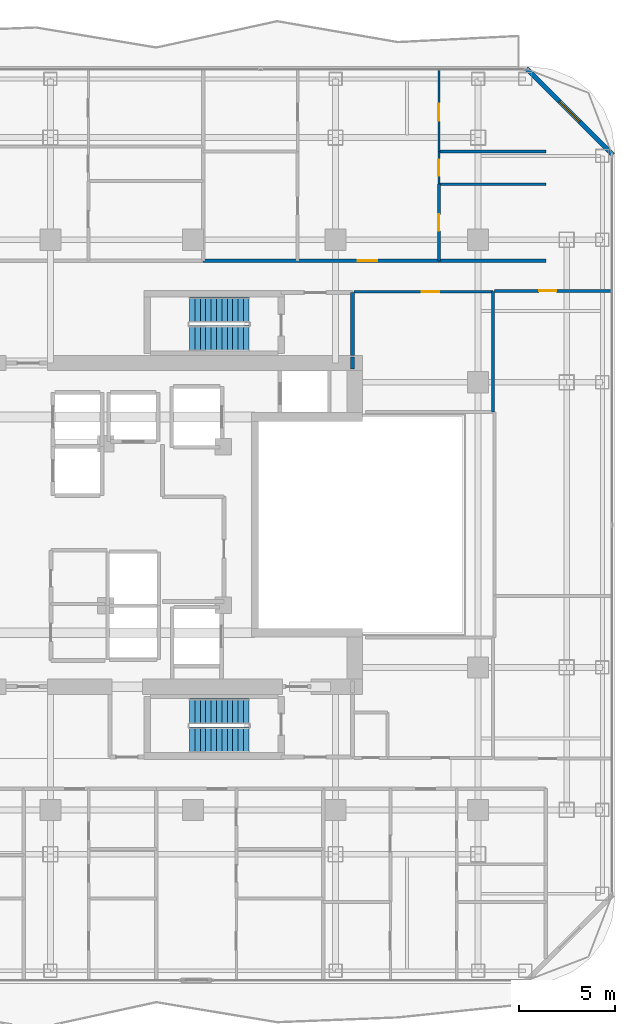
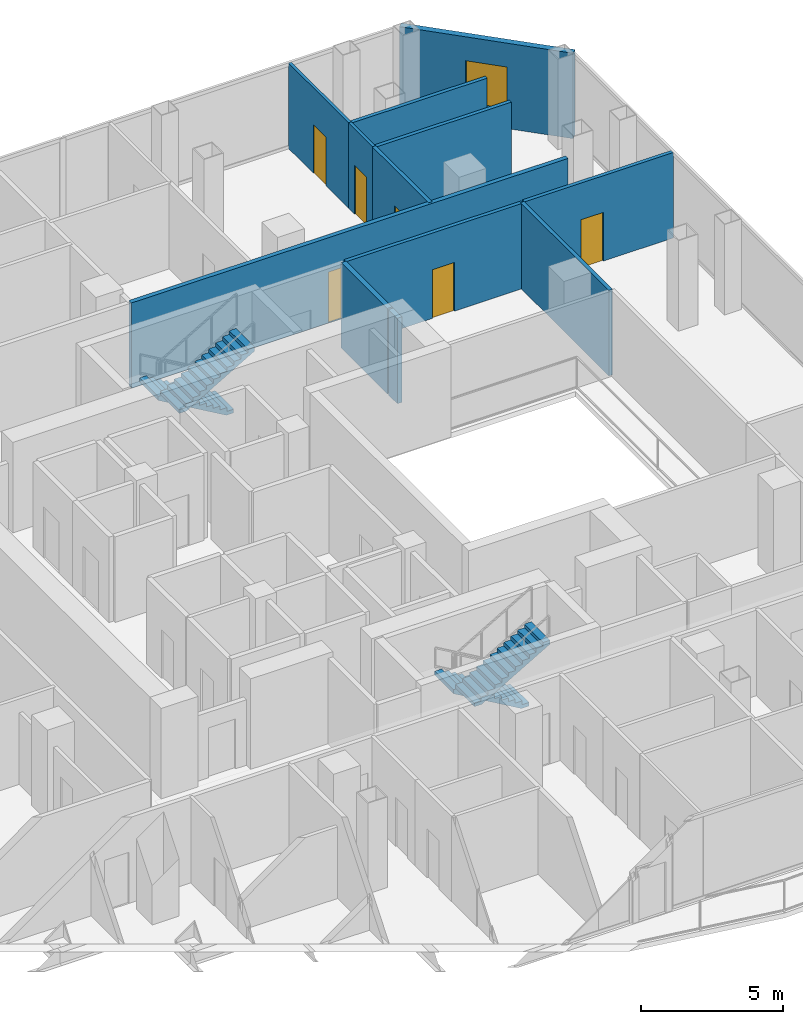
# One storey, part 22 of 25: 12 walls, 6 doors, 4 stair flights, 1 window, 7 openings, 2 elements without a shape of their own.
"""IFC4 building model written with IfcOpenShell, lengths in metres."""

from ifc_helpers import new_model, si_unit, direction, frame, frame_2d, origin, place, context, subcontext, project, spatial, polyline, rectangle, outline, extrude, material, layer, layer_set, type_object, element, fill, aggregate, save


model = new_model("IFC4")

# Units and contexts
model_context = context("Model", 3, precision=1e-05, world=origin(), true_north=direction((0.0, 1.0)))
body_context = subcontext(model_context, "Body", "Model", "MODEL_VIEW")
ifc_project = project(units=[si_unit("LENGTHUNIT", "METRE"), si_unit("AREAUNIT", "SQUARE_METRE"), si_unit("VOLUMEUNIT", "CUBIC_METRE"), si_unit("PLANEANGLEUNIT", "RADIAN"), si_unit("MASSUNIT", "GRAM", prefix="KILO")], contexts=[model_context])

# Site, building, storey
site_placement = place(None, origin())
site = spatial("IfcSite", under=ifc_project, at=site_placement, CompositionType="ELEMENT")
building_placement = place(site_placement, origin())
building = spatial("IfcBuilding", under=site, at=building_placement, Name="Khorvyn Point Tower", CompositionType="ELEMENT")
storey_placement = place(building_placement, frame((0.0, 0.0, 171.89990234375)))
storey = spatial("IfcBuildingStorey", under=building, at=storey_placement, Name="L42", CompositionType="ELEMENT", Elevation=171.89990234375)

# Wall, opening, door
ifc_material_1 = material(Name="Double acoustic gypsum on twin steel stud", Category="steel")
ifc_layer_1 = layer(ifc_material_1, 0.179931640625)
ifc_layer_set_1 = layer_set([ifc_layer_1], Name="Acoustic Double-Stud Apartment Demising Wall 180")
wall_type_1 = type_object("IfcWallType", Name="Acoustic Double-Stud Apartment Demising Wall 180", PredefinedType="PARTITIONING", material=ifc_layer_set_1)
wall_1_placement = place(storey_placement, frame((0.52587890625, 13.699951171875, 0.0), z_axis=(0.0, 0.0, 1.0), x_axis=(1.0, 0.0, 0.0)))
wall_1 = element("IfcWall", 1, at=wall_1_placement, inside=storey, type_object=wall_type_1, Name="Wall", PredefinedType="PARTITIONING", context=body_context, shape_type="SweptSolid", body=[
    extrude(rectangle(XDim=17.794189453125, YDim=0.179931640625, at=frame_2d((8.89697265625, 0.0))), origin(), (0.0, 0.0, 1.0), 3.68017578125),
])
opening_1_placement = place(wall_1_placement, frame((8.038818359375, 0.0, 0.0)))
opening_1 = element("IfcOpeningElement", 2, at=opening_1_placement, cuts=wall_1, Name="Opening ID-AP60", PredefinedType="OPENING", context=body_context, shape_type="SweptSolid", body=[
    extrude(rectangle(XDim=1.0, YDim=2.199951171875, at=frame_2d((0.5, 1.10009765625))), frame((0.0, 0.099853515625, 0.0), z_axis=(0.0, -1.0, 0.0), x_axis=(1.0, 0.0, 0.0)), (0.0, 0.0, 1.0), 0.199951171875),
])
ifc_material_2 = material(Name="Engineered hardwood fire-rated leaf", Category="wood")
door_type_1 = type_object("IfcDoorType", Name="Acoustic Solid-Core Timber Apartment Entrance Door 1000x2200", OperationType="NOTDEFINED", PredefinedType="DOOR", material=ifc_material_2)
door_1_placement = place(opening_1_placement, origin())
door_1 = element("IfcDoor", 3, at=door_1_placement, inside=storey, type_object=door_type_1, Name="Door", OperationType="SINGLE_SWING_LEFT", OverallHeight=2.199951171875, OverallWidth=1.0, PredefinedType="DOOR", context=body_context, shape_type="SweptSolid", body=[
    extrude(rectangle(XDim=1.0, YDim=2.199951171875, at=frame_2d((0.5, 1.10009765625))), frame((0.0, 0.02490234375, 0.0), z_axis=(0.0, -1.0, 0.0), x_axis=(1.0, 0.0, 0.0)), (0.0, 0.0, 1.0), 0.050048828125),
])
fill(opening_1, door_1)

# Wall, opening, window
ifc_material_3 = material(Name="Pale anodised aluminium rainscreen on steel stud", Category="steel")
ifc_layer_2 = layer(ifc_material_3, 0.239990234375)
ifc_layer_set_2 = layer_set([ifc_layer_2], Name="Anodised Aluminium Insulated Corner Spandrel Wall 240")
wall_type_2 = type_object("IfcWallType", Name="Anodised Aluminium Insulated Corner Spandrel Wall 240", PredefinedType="SOLIDWALL", material=ifc_layer_set_2)
wall_2_placement = place(storey_placement, frame((17.3076171875, 23.6923828125, 0.0), z_axis=(0.0, 0.0, 1.0), x_axis=(0.707106781187, -0.707106781187, 0.0)))
wall_2 = element("IfcWall", 4, at=wall_2_placement, inside=storey, type_object=wall_type_2, Name="L42 Rounded Corner Wall NE", PredefinedType="SOLIDWALL", context=body_context, shape_type="SweptSolid", body=[
    extrude(rectangle(XDim=6.342529296875, YDim=0.239990234375, at=frame_2d((3.17138671875, 0.0))), origin(), (0.0, 0.0, 1.0), 3.68017578125),
])
opening_2_placement = place(wall_2_placement, frame((2.42138671875, 0.0, 0.800048828125)))
opening_2 = element("IfcOpeningElement", 5, at=opening_2_placement, cuts=wall_2, Name="Opening WN-1518", PredefinedType="OPENING", context=body_context, shape_type="SweptSolid", body=[
    extrude(rectangle(XDim=1.5, YDim=1.85009765625, at=frame_2d((0.75, 0.925048828125))), frame((0.0, 0.1298828125, 0.0), z_axis=(0.0, -1.0, 0.0), x_axis=(1.0, 0.0, 0.0)), (0.0, 0.0, 1.0), 0.260009765625),
])
ifc_material_4 = material(Name="Anodised aluminium 6063-T6 and laminated Low-E glass", Category="aluminium")
window_type = type_object("IfcWindowType", Name="Anodised Aluminium Rounded-Corner Panoramic Window 1500x1850", PartitioningType="SINGLE_PANEL", PredefinedType="WINDOW", material=ifc_material_4)
window_placement = place(opening_2_placement, origin())
window = element("IfcWindow", 6, at=window_placement, inside=storey, type_object=window_type, Name="L42 Corner Panoramic Window NE", OverallHeight=1.85009765625, OverallWidth=1.5, PartitioningType="SINGLE_PANEL", PredefinedType="WINDOW", context=body_context, shape_type="SweptSolid", body=[
    extrude(rectangle(XDim=1.5, YDim=1.85009765625, at=frame_2d((0.75, 0.925048828125))), frame((0.0, 0.030029296875, 0.0), z_axis=(0.0, -1.0, 0.0), x_axis=(1.0, 0.0, 0.0)), (0.0, 0.0, 1.0), 0.06005859375),
])
fill(opening_2, window)

# Walls
ifc_material_5 = material(Name="Concrete C40/50", Category="concrete")
ifc_layer_3 = layer(ifc_material_5, 0.199951171875)
ifc_layer_set_3 = layer_set([ifc_layer_3], Name="Concrete C40/50 Fire-Lobby Compartment Wall 200")
wall_type_3 = type_object("IfcWallType", Name="Concrete C40/50 Fire-Lobby Compartment Wall 200", PredefinedType="SOLIDWALL", material=ifc_layer_set_3)
wall_3_placement = place(storey_placement, frame((8.280029296875, 8.800048828125, 0.0), z_axis=(0.0, 0.0, 1.0), x_axis=(0.0, 1.0, 0.0)))
element("IfcWall", 7, at=wall_3_placement, inside=storey, type_object=wall_type_3, Name="Wall", PredefinedType="SOLIDWALL", context=body_context, shape_type="SweptSolid", body=[
    extrude(rectangle(XDim=3.260009765625, YDim=0.199951171875, at=frame_2d((1.6298828125, 0.0))), origin(), (0.0, 0.0, 1.0), 3.68017578125),
])
wall_4_placement = place(storey_placement, frame((8.280029296875, 8.10009765625, 0.0), z_axis=(0.0, 0.0, 1.0), x_axis=(0.0, 1.0, 0.0)))
element("IfcWall", 8, at=wall_4_placement, inside=storey, type_object=wall_type_3, Name="Wall", PredefinedType="SOLIDWALL", context=body_context, shape_type="SweptSolid", body=[
    extrude(rectangle(XDim=0.625, YDim=0.199951171875, at=frame_2d((0.3125, 0.0))), origin(), (0.0, 0.0, 1.0), 3.68017578125),
])

# Wall, opening, door
ifc_material_6 = material(Name="Gypsum plasterboard on steel stud", Category="steel")
ifc_layer_4 = layer(ifc_material_6, 0.1201171875)
ifc_layer_set_4 = layer_set([ifc_layer_4], Name="Gypsum Acoustic Stud Room Partition Wall 120")
wall_type_4 = type_object("IfcWallType", Name="Gypsum Acoustic Stud Room Partition Wall 120", PredefinedType="PARTITIONING", material=ifc_layer_set_4)
wall_5_placement = place(storey_placement, frame((12.76806640625, 17.68310546875, 0.0), z_axis=(0.0, 0.0, 1.0), x_axis=(0.0, 1.0, 0.0)))
wall_5 = element("IfcWall", 9, at=wall_5_placement, inside=storey, type_object=wall_type_4, Name="Wall", PredefinedType="PARTITIONING", context=body_context, shape_type="SweptSolid", body=[
    extrude(rectangle(XDim=1.706787109375, YDim=0.1201171875, at=frame_2d((0.853515625, 0.0))), origin(), (0.0, 0.0, 1.0), 3.68017578125),
])
opening_3_placement = place(wall_5_placement, frame((0.428466796875, 0.0, 0.0)))
opening_3 = element("IfcOpeningElement", 10, at=opening_3_placement, cuts=wall_5, Name="Opening ID-WC85", PredefinedType="OPENING", context=body_context, shape_type="SweptSolid", body=[
    extrude(rectangle(XDim=0.85009765625, YDim=2.10009765625, at=frame_2d((0.425048828125, 1.050048828125))), frame((0.0, 0.070068359375, 0.0), z_axis=(0.0, -1.0, 0.0), x_axis=(1.0, 0.0, 0.0)), (0.0, 0.0, 1.0), 0.14013671875),
])
ifc_material_7 = material(Name="High-pressure laminate on moisture-resistant core", Category="wood")
door_type_2 = type_object("IfcDoorType", Name="Moisture-Resistant Accessible Washroom Door 850x2100", OperationType="NOTDEFINED", PredefinedType="DOOR", material=ifc_material_7)
door_2_placement = place(opening_3_placement, origin())
door_2 = element("IfcDoor", 11, at=door_2_placement, inside=storey, type_object=door_type_2, Name="Door", OperationType="SINGLE_SWING_LEFT", OverallHeight=2.10009765625, OverallWidth=0.85009765625, PredefinedType="DOOR", context=body_context, shape_type="SweptSolid", body=[
    extrude(rectangle(XDim=0.85009765625, YDim=2.10009765625, at=frame_2d((0.425048828125, 1.050048828125))), frame((0.0, 0.02490234375, 0.0), z_axis=(0.0, -1.0, 0.0), x_axis=(1.0, 0.0, 0.0)), (0.0, 0.0, 1.0), 0.050048828125),
])
fill(opening_3, door_2)

wall_6_placement = place(storey_placement, frame((12.76806640625, 19.389892578125, 0.0), z_axis=(0.0, 0.0, 1.0), x_axis=(0.0, 1.0, 0.0)))
wall_6 = element("IfcWall", 12, at=wall_6_placement, inside=storey, type_object=wall_type_4, Name="Wall", PredefinedType="PARTITIONING", context=body_context, shape_type="SweptSolid", body=[
    extrude(rectangle(XDim=4.239990234375, YDim=0.1201171875, at=frame_2d((2.1201171875, 0.0))), origin(), (0.0, 0.0, 1.0), 3.68017578125),
])
opening_4_placement = place(wall_6_placement, frame((1.581298828125, 0.0, 0.0)))
opening_4 = element("IfcOpeningElement", 13, at=opening_4_placement, cuts=wall_6, Name="Opening ID-RM90", PredefinedType="OPENING", context=body_context, shape_type="SweptSolid", body=[
    extrude(rectangle(XDim=0.89990234375, YDim=2.10009765625, at=frame_2d((0.449951171875, 1.050048828125))), frame((0.0, 0.070068359375, 0.0), z_axis=(0.0, -1.0, 0.0), x_axis=(1.0, 0.0, 0.0)), (0.0, 0.0, 1.0), 0.14013671875),
])
ifc_material_8 = material(Name="Engineered oak veneer timber", Category="wood")
door_type_3 = type_object("IfcDoorType", Name="Flush Engineered Timber Room Door 900x2100", OperationType="NOTDEFINED", PredefinedType="DOOR", material=ifc_material_8)
door_3_placement = place(opening_4_placement, origin())
door_3 = element("IfcDoor", 14, at=door_3_placement, inside=storey, type_object=door_type_3, Name="Door", OperationType="SINGLE_SWING_RIGHT", OverallHeight=2.10009765625, OverallWidth=0.89990234375, PredefinedType="DOOR", context=body_context, shape_type="SweptSolid", body=[
    extrude(rectangle(XDim=0.89990234375, YDim=2.10009765625, at=frame_2d((0.449951171875, 1.050048828125))), frame((0.0, 0.02490234375, 0.0), z_axis=(0.0, -1.0, 0.0), x_axis=(1.0, 0.0, 0.0)), (0.0, 0.0, 1.0), 0.050048828125),
])
fill(opening_4, door_3)

ifc_material_9 = material(Name="Moisture-resistant gypsum and cement board", Category="gypsum")
ifc_layer_5 = layer(ifc_material_9, 0.14990234375)
ifc_layer_set_5 = layer_set([ifc_layer_5], Name="Moisture-Resistant Wet-Room Partition Wall 150")
wall_type_5 = type_object("IfcWallType", Name="Moisture-Resistant Wet-Room Partition Wall 150", PredefinedType="PARTITIONING", material=ifc_layer_set_5)
wall_7_placement = place(storey_placement, frame((8.360107421875, 12.10009765625, 0.0), z_axis=(0.0, 0.0, 1.0), x_axis=(1.0, 0.0, 0.0)))
wall_7 = element("IfcWall", 15, at=wall_7_placement, inside=storey, type_object=wall_type_5, Name="Wall", PredefinedType="PARTITIONING", context=body_context, shape_type="SweptSolid", body=[
    extrude(rectangle(XDim=7.219970703125, YDim=0.14990234375, at=frame_2d((3.60986328125, 0.0))), origin(), (0.0, 0.0, 1.0), 3.68017578125),
])
opening_5_placement = place(wall_7_placement, frame((3.512939453125, 0.0, 0.0)))
opening_5 = element("IfcOpeningElement", 16, at=opening_5_placement, cuts=wall_7, Name="Opening ID-RM90", PredefinedType="OPENING", context=body_context, shape_type="SweptSolid", body=[
    extrude(rectangle(XDim=0.89990234375, YDim=2.10009765625, at=frame_2d((0.449951171875, 1.050048828125))), frame((0.0, 0.0849609375, 0.0), z_axis=(0.0, -1.0, 0.0), x_axis=(1.0, 0.0, 0.0)), (0.0, 0.0, 1.0), 0.169921875),
])
door_4_placement = place(opening_5_placement, origin())
door_4 = element("IfcDoor", 17, at=door_4_placement, inside=storey, type_object=door_type_3, Name="Door", OperationType="SINGLE_SWING_LEFT", OverallHeight=2.10009765625, OverallWidth=0.89990234375, PredefinedType="DOOR", context=body_context, shape_type="SweptSolid", body=[
    extrude(rectangle(XDim=0.89990234375, YDim=2.10009765625, at=frame_2d((0.449951171875, 1.050048828125))), frame((0.0, 0.02490234375, 0.0), z_axis=(0.0, -1.0, 0.0), x_axis=(1.0, 0.0, 0.0)), (0.0, 0.0, 1.0), 0.050048828125),
])
fill(opening_5, door_4)

wall_8_placement = place(storey_placement, frame((12.76806640625, 13.699951171875, 0.0), z_axis=(0.0, 0.0, 1.0), x_axis=(0.0, 1.0, 0.0)))
wall_8 = element("IfcWall", 18, at=wall_8_placement, inside=storey, type_object=wall_type_5, Name="Wall", PredefinedType="PARTITIONING", context=body_context, shape_type="SweptSolid", body=[
    extrude(rectangle(XDim=3.983154296875, YDim=0.14990234375, at=frame_2d((1.99169921875, 0.0))), origin(), (0.0, 0.0, 1.0), 3.68017578125),
])
opening_6_placement = place(wall_8_placement, frame((1.56640625, 0.0, 0.0)))
opening_6 = element("IfcOpeningElement", 19, at=opening_6_placement, cuts=wall_8, Name="Opening ID-WC85", PredefinedType="OPENING", context=body_context, shape_type="SweptSolid", body=[
    extrude(rectangle(XDim=0.85009765625, YDim=2.10009765625, at=frame_2d((0.425048828125, 1.050048828125))), frame((0.0, 0.0849609375, 0.0), z_axis=(0.0, -1.0, 0.0), x_axis=(1.0, 0.0, 0.0)), (0.0, 0.0, 1.0), 0.169921875),
])
door_5_placement = place(opening_6_placement, origin())
door_5 = element("IfcDoor", 20, at=door_5_placement, inside=storey, type_object=door_type_2, Name="Door", OperationType="SINGLE_SWING_RIGHT", OverallHeight=2.10009765625, OverallWidth=0.85009765625, PredefinedType="DOOR", context=body_context, shape_type="SweptSolid", body=[
    extrude(rectangle(XDim=0.85009765625, YDim=2.10009765625, at=frame_2d((0.425048828125, 1.050048828125))), frame((0.0, 0.02490234375, 0.0), z_axis=(0.0, -1.0, 0.0), x_axis=(1.0, 0.0, 0.0)), (0.0, 0.0, 1.0), 0.050048828125),
])
fill(opening_6, door_5)

wall_9_placement = place(storey_placement, frame((15.64990234375, 12.139892578125, 0.0), z_axis=(0.0, 0.0, 1.0), x_axis=(1.0, 0.0, 0.0)))
wall_9 = element("IfcWall", 21, at=wall_9_placement, inside=storey, type_object=wall_type_5, Name="Wall", PredefinedType="PARTITIONING", context=body_context, shape_type="SweptSolid", body=[
    extrude(rectangle(XDim=6.070068359375, YDim=0.14990234375, at=frame_2d((3.03515625, 0.0))), origin(), (0.0, 0.0, 1.0), 3.68017578125),
])
opening_7_placement = place(wall_9_placement, frame((2.315673828125, 0.0, 0.0)))
opening_7 = element("IfcOpeningElement", 22, at=opening_7_placement, cuts=wall_9, Name="Opening ID-RM90", PredefinedType="OPENING", context=body_context, shape_type="SweptSolid", body=[
    extrude(rectangle(XDim=0.89990234375, YDim=2.10009765625, at=frame_2d((0.449951171875, 1.050048828125))), frame((0.0, 0.0849609375, 0.0), z_axis=(0.0, -1.0, 0.0), x_axis=(1.0, 0.0, 0.0)), (0.0, 0.0, 1.0), 0.169921875),
])
door_6_placement = place(opening_7_placement, origin())
door_6 = element("IfcDoor", 23, at=door_6_placement, inside=storey, type_object=door_type_3, Name="Door", OperationType="SINGLE_SWING_RIGHT", OverallHeight=2.10009765625, OverallWidth=0.89990234375, PredefinedType="DOOR", context=body_context, shape_type="SweptSolid", body=[
    extrude(rectangle(XDim=0.89990234375, YDim=2.10009765625, at=frame_2d((0.449951171875, 1.050048828125))), frame((0.0, 0.02490234375, 0.0), z_axis=(0.0, -1.0, 0.0), x_axis=(1.0, 0.0, 0.0)), (0.0, 0.0, 1.0), 0.050048828125),
])
fill(opening_7, door_6)

# Walls
wall_10_placement = place(storey_placement, frame((15.580078125, 5.85009765625, 0.0), z_axis=(0.0, 0.0, 1.0), x_axis=(0.0, 1.0, 0.0)))
element("IfcWall", 24, at=wall_10_placement, inside=storey, type_object=wall_type_5, Name="Wall", PredefinedType="PARTITIONING", context=body_context, shape_type="SweptSolid", body=[
    extrude(rectangle(XDim=6.25, YDim=0.14990234375, at=frame_2d((3.125, 0.0))), origin(), (0.0, 0.0, 1.0), 3.68017578125),
])
for number, where, z_axis, x_axis, name in (
    (25, (12.76806640625, 17.68310546875, 0.0), (0.0, 0.0, 1.0), (1.0, 0.0, 0.0), "Wall"),
    (26, (12.76806640625, 19.389892578125, 0.0), (0.0, 0.0, 1.0), (1.0, 0.0, 0.0), "Wall"),
):
    element("IfcWall", number, at=place(storey_placement, frame(where, z_axis=z_axis, x_axis=x_axis)), inside=storey, type_object=wall_type_5, Name=name, PredefinedType="PARTITIONING", context=body_context, shape_type="SweptSolid", body=[
        extrude(rectangle(XDim=5.552001953125, YDim=0.14990234375, at=frame_2d((2.77587890625, 0.0))), origin(), (0.0, 0.0, 1.0), 3.68017578125),
    ])

# Stair, stair flights
stair_type = type_object("IfcStairType", Name="Tower Concrete C40/50 Dogleg Exit Stair", PredefinedType="HALF_TURN_STAIR", material=ifc_material_5)
stair_1_placement = place(storey_placement, origin())
stair_1 = element("IfcStair", 27, at=stair_1_placement, inside=storey, type_object=stair_type, Name="L42 Tower Smokeproof Exit Stair South", PredefinedType="HALF_TURN_STAIR")
stair_flight_type = type_object("IfcStairFlightType", Name="Tower Concrete C40/50 Stair Flight", PredefinedType="STRAIGHT", material=ifc_material_5)
stair_flight_1_placement = place(storey_placement, frame((2.89990234375, -9.679931640625, 0.0), z_axis=(0.0, 0.0, 1.0), x_axis=(-1.0, 0.0, 0.0)))
stair_flight_1 = element("IfcStairFlight", 28, at=stair_flight_1_placement, type_object=stair_flight_type, Name="ST-01 flight 1", NumberOfRisers=12, NumberOfTreads=11, PredefinedType="STRAIGHT", RiserHeight=0.1625, TreadLength=0.28, context=body_context, shape_type="SweptSolid", body=[
    extrude(outline(polyline([(0.0, 0.0), (0.0, 0.16259765625), (0.280029296875, 0.16259765625), (0.280029296875, 0.324951171875), (0.56005859375, 0.324951171875), (0.56005859375, 0.487548828125), (0.840087890625, 0.487548828125), (0.840087890625, 0.64990234375), (1.1201171875, 0.64990234375), (1.1201171875, 0.8125), (1.39990234375, 0.8125), (1.39990234375, 0.97509765625), (1.679931640625, 0.97509765625), (1.679931640625, 1.137451171875), (1.9599609375, 1.137451171875), (1.9599609375, 1.300048828125), (2.239990234375, 1.300048828125), (2.239990234375, 1.46240234375), (2.52001953125, 1.46240234375), (2.52001953125, 1.625), (2.800048828125, 1.625), (2.800048828125, 1.78759765625), (3.080078125, 1.78759765625), (3.080078125, 1.949951171875), (3.080078125, 1.6142578125), (0.298583984375, 0.0), (0.0, 0.0)])), frame((0.0, 0.66015625, 0.0), z_axis=(0.0, -1.0, 0.0), x_axis=(1.0, 0.0, 0.0)), (0.0, 0.0, 1.0), 1.320068359375),
])
stair_flight_2_placement = place(storey_placement, frame((-0.179931640625, -11.159912109375, 1.9501953125), z_axis=(0.0, 0.0, 1.0), x_axis=(1.0, 0.0, 0.0)))
stair_flight_2 = element("IfcStairFlight", 29, at=stair_flight_2_placement, type_object=stair_flight_type, Name="ST-01 flight 2", NumberOfRisers=12, NumberOfTreads=11, PredefinedType="STRAIGHT", RiserHeight=0.1625, TreadLength=0.28, context=body_context, shape_type="SweptSolid", body=[
    extrude(outline(polyline([(0.0, 0.0), (0.0, 0.16259765625), (0.280029296875, 0.16259765625), (0.280029296875, 0.324951171875), (0.56005859375, 0.324951171875), (0.56005859375, 0.487548828125), (0.840087890625, 0.487548828125), (0.840087890625, 0.64990234375), (1.1201171875, 0.64990234375), (1.1201171875, 0.8125), (1.39990234375, 0.8125), (1.39990234375, 0.97509765625), (1.679931640625, 0.97509765625), (1.679931640625, 1.137451171875), (1.9599609375, 1.137451171875), (1.9599609375, 1.300048828125), (2.239990234375, 1.300048828125), (2.239990234375, 1.46240234375), (2.52001953125, 1.46240234375), (2.52001953125, 1.625), (2.800048828125, 1.625), (2.800048828125, 1.78759765625), (3.080078125, 1.78759765625), (3.080078125, 1.949951171875), (3.080078125, 1.6142578125), (0.298583984375, 0.0), (0.0, 0.0)])), frame((0.0, 0.66015625, 0.0), z_axis=(0.0, -1.0, 0.0), x_axis=(1.0, 0.0, 0.0)), (0.0, 0.0, 1.0), 1.320068359375),
])
aggregate(stair_1, [stair_flight_1, stair_flight_2])

stair_2_placement = place(storey_placement, origin())
stair_2 = element("IfcStair", 30, at=stair_2_placement, inside=storey, type_object=stair_type, Name="L42 Tower Smokeproof Exit Stair North", PredefinedType="HALF_TURN_STAIR")
stair_flight_3_placement = place(storey_placement, frame((2.89990234375, 11.159912109375, 0.0), z_axis=(0.0, 0.0, 1.0), x_axis=(-1.0, 0.0, 0.0)))
stair_flight_3 = element("IfcStairFlight", 31, at=stair_flight_3_placement, type_object=stair_flight_type, Name="ST-02 flight 1", NumberOfRisers=12, NumberOfTreads=11, PredefinedType="STRAIGHT", RiserHeight=0.1625, TreadLength=0.28, context=body_context, shape_type="SweptSolid", body=[
    extrude(outline(polyline([(0.0, 0.0), (0.0, 0.16259765625), (0.280029296875, 0.16259765625), (0.280029296875, 0.324951171875), (0.56005859375, 0.324951171875), (0.56005859375, 0.487548828125), (0.840087890625, 0.487548828125), (0.840087890625, 0.64990234375), (1.1201171875, 0.64990234375), (1.1201171875, 0.8125), (1.39990234375, 0.8125), (1.39990234375, 0.97509765625), (1.679931640625, 0.97509765625), (1.679931640625, 1.137451171875), (1.9599609375, 1.137451171875), (1.9599609375, 1.300048828125), (2.239990234375, 1.300048828125), (2.239990234375, 1.46240234375), (2.52001953125, 1.46240234375), (2.52001953125, 1.625), (2.800048828125, 1.625), (2.800048828125, 1.78759765625), (3.080078125, 1.78759765625), (3.080078125, 1.949951171875), (3.080078125, 1.6142578125), (0.298583984375, 0.0), (0.0, 0.0)])), frame((0.0, 0.66015625, 0.0), z_axis=(0.0, -1.0, 0.0), x_axis=(1.0, 0.0, 0.0)), (0.0, 0.0, 1.0), 1.320068359375),
])
stair_flight_4_placement = place(storey_placement, frame((-0.179931640625, 9.679931640625, 1.9501953125), z_axis=(0.0, 0.0, 1.0), x_axis=(1.0, 0.0, 0.0)))
stair_flight_4 = element("IfcStairFlight", 32, at=stair_flight_4_placement, type_object=stair_flight_type, Name="ST-02 flight 2", NumberOfRisers=12, NumberOfTreads=11, PredefinedType="STRAIGHT", RiserHeight=0.1625, TreadLength=0.28, context=body_context, shape_type="SweptSolid", body=[
    extrude(outline(polyline([(0.0, 0.0), (0.0, 0.16259765625), (0.280029296875, 0.16259765625), (0.280029296875, 0.324951171875), (0.56005859375, 0.324951171875), (0.56005859375, 0.487548828125), (0.840087890625, 0.487548828125), (0.840087890625, 0.64990234375), (1.1201171875, 0.64990234375), (1.1201171875, 0.8125), (1.39990234375, 0.8125), (1.39990234375, 0.97509765625), (1.679931640625, 0.97509765625), (1.679931640625, 1.137451171875), (1.9599609375, 1.137451171875), (1.9599609375, 1.300048828125), (2.239990234375, 1.300048828125), (2.239990234375, 1.46240234375), (2.52001953125, 1.46240234375), (2.52001953125, 1.625), (2.800048828125, 1.625), (2.800048828125, 1.78759765625), (3.080078125, 1.78759765625), (3.080078125, 1.949951171875), (3.080078125, 1.6142578125), (0.298583984375, 0.0), (0.0, 0.0)])), frame((0.0, 0.66015625, 0.0), z_axis=(0.0, -1.0, 0.0), x_axis=(1.0, 0.0, 0.0)), (0.0, 0.0, 1.0), 1.320068359375),
])
aggregate(stair_2, [stair_flight_3, stair_flight_4])

save(model, "model.ifc")
